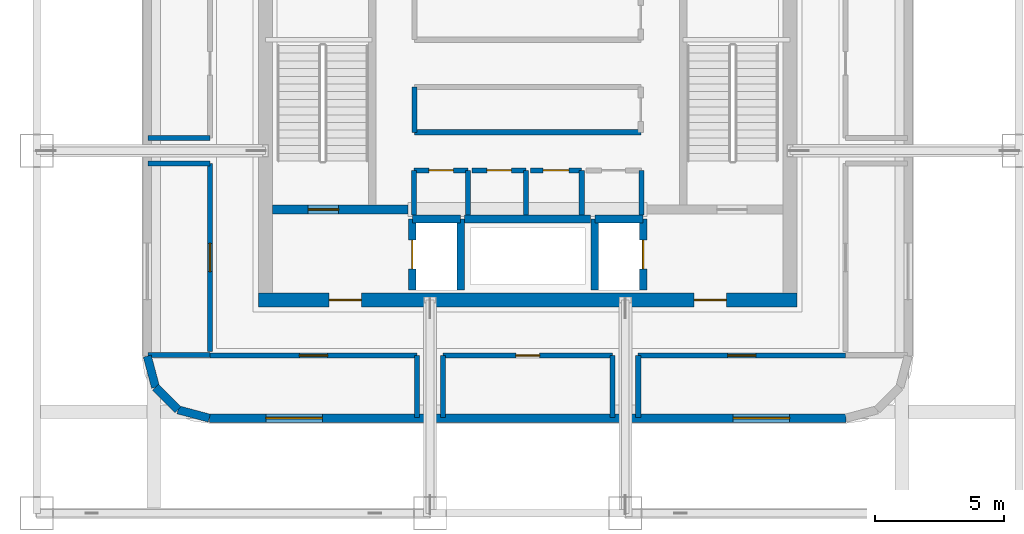
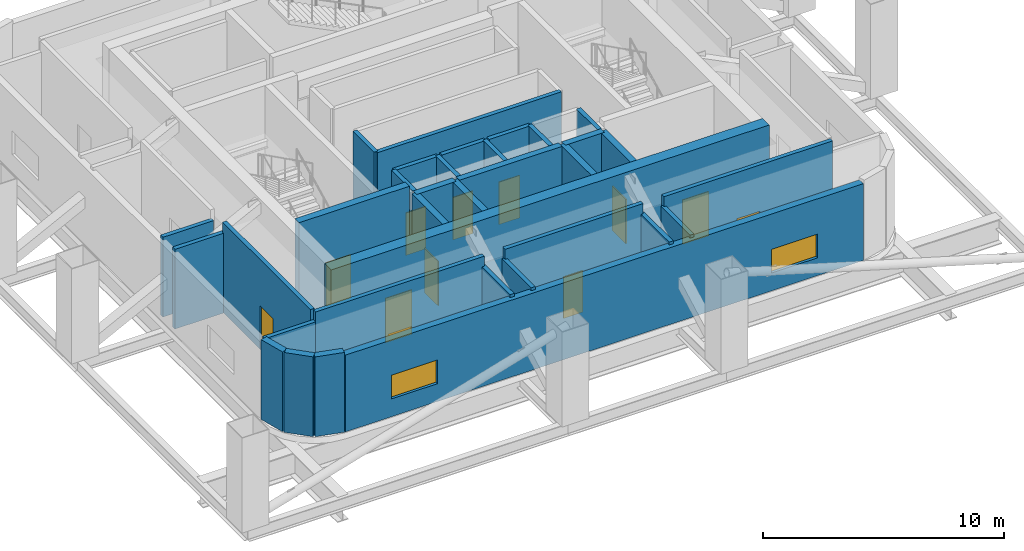
# One storey, part 4 of 8: 34 walls, 12 doors, 2 windows, 14 openings.
"""IFC4 building model written with IfcOpenShell, lengths in metres."""

from ifc_helpers import new_model, si_unit, direction, frame, frame_2d, origin, place, context, subcontext, project, spatial, rectangle, extrude, material, layer, layer_set, type_object, element, fill, save


model = new_model("IFC4")

# Units and contexts
model_context = context("Model", 3, precision=1e-05, world=origin(), true_north=direction((0.0, 1.0)))
body_context = subcontext(model_context, "Body", "Model", "MODEL_VIEW")
ifc_project = project(units=[si_unit("LENGTHUNIT", "METRE"), si_unit("AREAUNIT", "SQUARE_METRE"), si_unit("VOLUMEUNIT", "CUBIC_METRE"), si_unit("PLANEANGLEUNIT", "RADIAN"), si_unit("MASSUNIT", "GRAM", prefix="KILO")], contexts=[model_context])

# Site, building, storey
site_placement = place(None, origin())
site = spatial("IfcSite", under=ifc_project, at=site_placement, CompositionType="ELEMENT")
building_placement = place(site_placement, origin())
building = spatial("IfcBuilding", under=site, at=building_placement, Name="Punatoya Terracotta Tower", CompositionType="ELEMENT")
storey_placement = place(building_placement, frame((0.0, 0.0, 241.800048828125)))
storey = spatial("IfcBuildingStorey", under=building, at=storey_placement, Name="L57", CompositionType="ELEMENT", Elevation=241.800048828125)

# Wall, openings, doors
ifc_material_1 = material(Name="Concrete C50/60", Category="concrete")
ifc_layer_1 = layer(ifc_material_1, 0.550048828125)
ifc_layer_set_1 = layer_set([ifc_layer_1], Name="Concrete C50/60")
wall_type_1 = type_object("IfcWallType", Name="WL-COR-550", PredefinedType="SHEAR", material=ifc_layer_set_1)
wall_1_placement = place(storey_placement, frame((10.47509765625, -9.199951171875, 0.0), z_axis=(0.0, 0.0, 1.0), x_axis=(-1.0, 0.0, 0.0)))
wall_1 = element("IfcWall", 1, at=wall_1_placement, inside=storey, type_object=wall_type_1, Name="L57 Core Shear Wall S", PredefinedType="SHEAR", context=body_context, shape_type="SweptSolid", body=[
    extrude(rectangle(XDim=20.9501953125, YDim=0.550048828125, at=frame_2d((10.47509765625, 0.0))), origin(), (0.0, 0.0, 1.0), 4.800048828125),
])
opening_1_placement = place(wall_1_placement, frame((2.75, 0.0, 0.0)))
opening_1 = element("IfcOpeningElement", 2, at=opening_1_placement, cuts=wall_1, Name="Opening FD-L1", PredefinedType="OPENING", context=body_context, shape_type="SweptSolid", body=[
    extrude(rectangle(XDim=1.25, YDim=2.25, at=frame_2d((0.625, 1.125))), frame((0.0, 0.284912109375, 0.0), z_axis=(0.0, -1.0, 0.0), x_axis=(1.0, 0.0, 0.0)), (0.0, 0.0, 1.0), 0.570068359375),
])
opening_2_placement = place(wall_1_placement, frame((16.949951171875, 0.0, 0.0)))
opening_2 = element("IfcOpeningElement", 3, at=opening_2_placement, cuts=wall_1, Name="Opening FD-L1", PredefinedType="OPENING", context=body_context, shape_type="SweptSolid", body=[
    extrude(rectangle(XDim=1.25, YDim=2.25, at=frame_2d((0.625, 1.125))), frame((0.0, 0.284912109375, 0.0), z_axis=(0.0, -1.0, 0.0), x_axis=(1.0, 0.0, 0.0)), (0.0, 0.0, 1.0), 0.570068359375),
])
ifc_material_2 = material(Name="Galvanised Steel Smokeproof Fire Door", Category="steel")
door_type_1 = type_object("IfcDoorType", Name="DR-FFL-1250", OperationType="NOTDEFINED", PredefinedType="DOOR", material=ifc_material_2)
door_1_placement = place(opening_1_placement, origin())
door_1 = element("IfcDoor", 4, at=door_1_placement, inside=storey, type_object=door_type_1, Name="L57 East Firefighting Lobby Corridor Fire Door", OperationType="SINGLE_SWING_LEFT", OverallHeight=2.25, OverallWidth=1.25, PredefinedType="DOOR", context=body_context, shape_type="SweptSolid", body=[
    extrude(rectangle(XDim=1.25, YDim=2.25, at=frame_2d((0.625, 1.125))), frame((0.0, 0.02490234375, 0.0), z_axis=(0.0, -1.0, 0.0), x_axis=(1.0, 0.0, 0.0)), (0.0, 0.0, 1.0), 0.050048828125),
])
fill(opening_1, door_1)
door_2_placement = place(opening_2_placement, origin())
door_2 = element("IfcDoor", 5, at=door_2_placement, inside=storey, type_object=door_type_1, Name="L57 West Firefighting Lobby Corridor Fire Door", OperationType="SINGLE_SWING_RIGHT", OverallHeight=2.25, OverallWidth=1.25, PredefinedType="DOOR", context=body_context, shape_type="SweptSolid", body=[
    extrude(rectangle(XDim=1.25, YDim=2.25, at=frame_2d((0.625, 1.125))), frame((0.0, 0.02490234375, 0.0), z_axis=(0.0, -1.0, 0.0), x_axis=(1.0, 0.0, 0.0)), (0.0, 0.0, 1.0), 0.050048828125),
])
fill(opening_2, door_2)

# Wall, openings, windows
ifc_material_3 = material(Name="Precast concrete C40/50", Category="concrete")
ifc_layer_2 = layer(ifc_material_3, 0.320068359375)
ifc_layer_set_2 = layer_set([ifc_layer_2], Name="Precast concrete C40/50")
wall_type_2 = type_object("IfcWallType", Name="WL-EXT-320", PredefinedType="SOLIDWALL", material=ifc_layer_set_2)
wall_2_placement = place(storey_placement, frame((-12.386962890625, -13.800048828125, 0.0), z_axis=(0.0, 0.0, 1.0), x_axis=(1.0, 0.0, 0.0)))
wall_2 = element("IfcWall", 6, at=wall_2_placement, inside=storey, type_object=wall_type_2, Name="L57 Terracotta Louvre Plant Enclosure S", PredefinedType="SOLIDWALL", context=body_context, shape_type="SweptSolid", body=[
    extrude(rectangle(XDim=24.77392578125, YDim=0.320068359375, at=frame_2d((12.386962890625, 0.0))), origin(), (0.0, 0.0, 1.0), 3.884033203125),
])
opening_3_placement = place(wall_2_placement, frame((2.199951171875, 0.0, 0.89990234375)))
opening_3 = element("IfcOpeningElement", 7, at=opening_3_placement, cuts=wall_2, Name="Opening WN-09", PredefinedType="OPENING", context=body_context, shape_type="SweptSolid", body=[
    extrude(rectangle(XDim=2.199951171875, YDim=1.199951171875, at=frame_2d((1.10009765625, 0.60009765625))), frame((0.0, 0.169921875, 0.0), z_axis=(0.0, -1.0, 0.0), x_axis=(1.0, 0.0, 0.0)), (0.0, 0.0, 1.0), 0.340087890625),
])
opening_4_placement = place(wall_2_placement, frame((20.373779296875, 0.0, 0.89990234375)))
opening_4 = element("IfcOpeningElement", 8, at=opening_4_placement, cuts=wall_2, Name="Opening WN-09", PredefinedType="OPENING", context=body_context, shape_type="SweptSolid", body=[
    extrude(rectangle(XDim=2.199951171875, YDim=1.199951171875, at=frame_2d((1.10009765625, 0.60009765625))), frame((0.0, 0.169921875, 0.0), z_axis=(0.0, -1.0, 0.0), x_axis=(1.0, 0.0, 0.0)), (0.0, 0.0, 1.0), 0.340087890625),
])
ifc_material_4 = material(Name="Aluminium 6063-T6 + Double Low-E Glass", Category="aluminium")
window_type = type_object("IfcWindowType", Name="WIN-CLR-2200", PartitioningType="SINGLE_PANEL", PredefinedType="WINDOW", material=ifc_material_4)
window_1_placement = place(opening_3_placement, origin())
window_1 = element("IfcWindow", 9, at=window_1_placement, inside=storey, type_object=window_type, Name="L57 Refuge Daylight Window S1", OverallHeight=1.199951171875, OverallWidth=2.199951171875, PartitioningType="SINGLE_PANEL", PredefinedType="WINDOW", context=body_context, shape_type="SweptSolid", body=[
    extrude(rectangle(XDim=2.199951171875, YDim=1.199951171875, at=frame_2d((1.10009765625, 0.60009765625))), frame((0.0, 0.030029296875, 0.0), z_axis=(0.0, -1.0, 0.0), x_axis=(1.0, 0.0, 0.0)), (0.0, 0.0, 1.0), 0.06005859375),
])
fill(opening_3, window_1)
window_2_placement = place(opening_4_placement, origin())
window_2 = element("IfcWindow", 10, at=window_2_placement, inside=storey, type_object=window_type, Name="L57 Refuge Daylight Window S2", OverallHeight=1.199951171875, OverallWidth=2.199951171875, PartitioningType="SINGLE_PANEL", PredefinedType="WINDOW", context=body_context, shape_type="SweptSolid", body=[
    extrude(rectangle(XDim=2.199951171875, YDim=1.199951171875, at=frame_2d((1.10009765625, 0.60009765625))), frame((0.0, 0.030029296875, 0.0), z_axis=(0.0, -1.0, 0.0), x_axis=(1.0, 0.0, 0.0)), (0.0, 0.0, 1.0), 0.06005859375),
])
fill(opening_4, window_2)

# Walls
wall_3_placement = place(storey_placement, frame((-14.800048828125, -11.386962890625, 0.0), z_axis=(0.0, 0.0, 1.0), x_axis=(0.25748094776, -0.966283375382, 0.0)))
element("IfcWall", 11, at=wall_3_placement, inside=storey, type_object=wall_type_2, Name="L57 Rounded Terracotta Corner Pier 14", PredefinedType="SOLIDWALL", context=body_context, shape_type="SweptSolid", body=[
    extrude(rectangle(XDim=1.25439453125, YDim=0.320068359375, at=frame_2d((0.627197265625, 0.0))), origin(), (0.0, 0.0, 1.0), 4.033935546875),
])
wall_4_placement = place(storey_placement, frame((-14.47705078125, -12.59912109375, 0.0), z_axis=(0.0, 0.0, 1.0), x_axis=(0.707106781187, -0.707106781187, 0.0)))
element("IfcWall", 12, at=wall_4_placement, inside=storey, type_object=wall_type_2, Name="L57 Rounded Terracotta Corner Pier 15", PredefinedType="SOLIDWALL", context=body_context, shape_type="SweptSolid", body=[
    extrude(rectangle(XDim=1.24169921875, YDim=0.320068359375, at=frame_2d((0.620849609375, 0.0))), origin(), (0.0, 0.0, 1.0), 4.033935546875),
])
wall_5_placement = place(storey_placement, frame((-13.59912109375, -13.47705078125, 0.0), z_axis=(0.0, 0.0, 1.0), x_axis=(0.966283375382, -0.25748094776, 0.0)))
element("IfcWall", 13, at=wall_5_placement, inside=storey, type_object=wall_type_2, Name="L57 Rounded Terracotta Corner Pier 16", PredefinedType="SOLIDWALL", context=body_context, shape_type="SweptSolid", body=[
    extrude(rectangle(XDim=1.25439453125, YDim=0.320068359375, at=frame_2d((0.627197265625, 0.0))), origin(), (0.0, 0.0, 1.0), 4.033935546875),
])
ifc_material_5 = material(Name="Concrete C40/50", Category="concrete")
ifc_layer_3 = layer(ifc_material_5, 0.199951171875)
ifc_layer_set_3 = layer_set([ifc_layer_3], Name="Concrete C40/50")
wall_type_3 = type_object("IfcWallType", Name="WL-INT-200", PredefinedType="SOLIDWALL", material=ifc_layer_set_3)
wall_6_placement = place(storey_placement, frame((-2.320068359375, -5.89990234375, 0.0), z_axis=(0.0, 0.0, 1.0), x_axis=(0.0, 1.0, 0.0)))
element("IfcWall", 14, at=wall_6_placement, inside=storey, type_object=wall_type_3, Name="L57 Staff Male Washroom Partition 01", PredefinedType="SOLIDWALL", context=body_context, shape_type="SweptSolid", body=[
    extrude(rectangle(XDim=1.739990234375, YDim=0.199951171875, at=frame_2d((0.8701171875, 0.0))), origin(), (0.0, 0.0, 1.0), 4.5400390625),
])

# Wall, opening, door
wall_7_placement = place(storey_placement, frame((-2.320068359375, -4.159912109375, 0.0), z_axis=(0.0, 0.0, 1.0), x_axis=(-1.0, 0.0, 0.0)))
wall_7 = element("IfcWall", 15, at=wall_7_placement, inside=storey, type_object=wall_type_3, Name="L57 Staff Male Washroom Partition 02", PredefinedType="SOLIDWALL", context=body_context, shape_type="SweptSolid", body=[
    extrude(rectangle(XDim=2.099853515625, YDim=0.199951171875, at=frame_2d((1.0498046875, 0.0))), origin(), (0.0, 0.0, 1.0), 4.5400390625),
])
opening_5_placement = place(wall_7_placement, frame((0.574951171875, 0.0, 0.0)))
opening_5 = element("IfcOpeningElement", 16, at=opening_5_placement, cuts=wall_7, Name="Opening WD-01", PredefinedType="OPENING", context=body_context, shape_type="SweptSolid", body=[
    extrude(rectangle(XDim=0.949951171875, YDim=2.14990234375, at=frame_2d((0.47509765625, 1.074951171875))), frame((0.0, 0.10986328125, 0.0), z_axis=(0.0, -1.0, 0.0), x_axis=(1.0, 0.0, 0.0)), (0.0, 0.0, 1.0), 0.219970703125),
])
ifc_material_6 = material(Name="Moisture-Resistant Laminate Timber Leaf", Category="wood")
door_type_2 = type_object("IfcDoorType", Name="DR-WC-950", OperationType="NOTDEFINED", PredefinedType="DOOR", material=ifc_material_6)
door_3_placement = place(opening_5_placement, origin())
door_3 = element("IfcDoor", 17, at=door_3_placement, inside=storey, type_object=door_type_2, Name="L57 Staff Male Washroom Door", OperationType="SINGLE_SWING_RIGHT", OverallHeight=2.14990234375, OverallWidth=0.949951171875, PredefinedType="DOOR", context=body_context, shape_type="SweptSolid", body=[
    extrude(rectangle(XDim=0.949951171875, YDim=2.14990234375, at=frame_2d((0.47509765625, 1.074951171875))), frame((0.0, 0.02490234375, 0.0), z_axis=(0.0, -1.0, 0.0), x_axis=(1.0, 0.0, 0.0)), (0.0, 0.0, 1.0), 0.050048828125),
])
fill(opening_5, door_3)

# Walls
for number, where, z_axis, x_axis, name in (
    (18, (-4.419921875, -4.159912109375, 0.0), (0.0, 0.0, 1.0), (0.0, -1.0, 0.0), "L57 Staff Male Washroom Partition 03"),
    (19, (-0.06005859375, -5.89990234375, 0.0), (0.0, 0.0, 1.0), (0.0, 1.0, 0.0), "L57 Staff Female Washroom Partition 04"),
):
    element("IfcWall", number, at=place(storey_placement, frame(where, z_axis=z_axis, x_axis=x_axis)), inside=storey, type_object=wall_type_3, Name=name, PredefinedType="SOLIDWALL", context=body_context, shape_type="SweptSolid", body=[
        extrude(rectangle(XDim=1.739990234375, YDim=0.199951171875, at=frame_2d((0.8701171875, 0.0))), origin(), (0.0, 0.0, 1.0), 4.5400390625),
    ])

# Wall, opening, door
wall_8_placement = place(storey_placement, frame((-0.06005859375, -4.159912109375, 0.0), z_axis=(0.0, 0.0, 1.0), x_axis=(-1.0, 0.0, 0.0)))
wall_8 = element("IfcWall", 20, at=wall_8_placement, inside=storey, type_object=wall_type_3, Name="L57 Staff Female Washroom Partition 05", PredefinedType="SOLIDWALL", context=body_context, shape_type="SweptSolid", body=[
    extrude(rectangle(XDim=2.099853515625, YDim=0.199951171875, at=frame_2d((1.0498046875, 0.0))), origin(), (0.0, 0.0, 1.0), 4.5400390625),
])
opening_6_placement = place(wall_8_placement, frame((0.574951171875, 0.0, 0.0)))
opening_6 = element("IfcOpeningElement", 21, at=opening_6_placement, cuts=wall_8, Name="Opening WD-01", PredefinedType="OPENING", context=body_context, shape_type="SweptSolid", body=[
    extrude(rectangle(XDim=0.949951171875, YDim=2.14990234375, at=frame_2d((0.47509765625, 1.074951171875))), frame((0.0, 0.10986328125, 0.0), z_axis=(0.0, -1.0, 0.0), x_axis=(1.0, 0.0, 0.0)), (0.0, 0.0, 1.0), 0.219970703125),
])
door_4_placement = place(opening_6_placement, origin())
door_4 = element("IfcDoor", 22, at=door_4_placement, inside=storey, type_object=door_type_2, Name="L57 Staff Female Washroom Door", OperationType="SINGLE_SWING_LEFT", OverallHeight=2.14990234375, OverallWidth=0.949951171875, PredefinedType="DOOR", context=body_context, shape_type="SweptSolid", body=[
    extrude(rectangle(XDim=0.949951171875, YDim=2.14990234375, at=frame_2d((0.47509765625, 1.074951171875))), frame((0.0, 0.02490234375, 0.0), z_axis=(0.0, -1.0, 0.0), x_axis=(1.0, 0.0, 0.0)), (0.0, 0.0, 1.0), 0.050048828125),
])
fill(opening_6, door_4)

# Wall
wall_9_placement = place(storey_placement, frame((2.10009765625, -5.89990234375, 0.0), z_axis=(0.0, 0.0, 1.0), x_axis=(0.0, 1.0, 0.0)))
element("IfcWall", 23, at=wall_9_placement, inside=storey, type_object=wall_type_3, Name="L57 Accessible Universal Washroom Partition 06", PredefinedType="SOLIDWALL", context=body_context, shape_type="SweptSolid", body=[
    extrude(rectangle(XDim=1.739990234375, YDim=0.199951171875, at=frame_2d((0.8701171875, 0.0))), origin(), (0.0, 0.0, 1.0), 4.5400390625),
])

# Wall, opening, door
wall_10_placement = place(storey_placement, frame((2.10009765625, -4.159912109375, 0.0), z_axis=(0.0, 0.0, 1.0), x_axis=(-1.0, 0.0, 0.0)))
wall_10 = element("IfcWall", 24, at=wall_10_placement, inside=storey, type_object=wall_type_3, Name="L57 Accessible Universal Washroom Partition 07", PredefinedType="SOLIDWALL", context=body_context, shape_type="SweptSolid", body=[
    extrude(rectangle(XDim=2.0, YDim=0.199951171875, at=frame_2d((1.0, 0.0))), origin(), (0.0, 0.0, 1.0), 4.5400390625),
])
opening_7_placement = place(wall_10_placement, frame((0.5, 0.0, 0.0)))
opening_7 = element("IfcOpeningElement", 25, at=opening_7_placement, cuts=wall_10, Name="Opening AWD-1", PredefinedType="OPENING", context=body_context, shape_type="SweptSolid", body=[
    extrude(rectangle(XDim=1.0, YDim=2.14990234375, at=frame_2d((0.5, 1.074951171875))), frame((0.0, 0.10986328125, 0.0), z_axis=(0.0, -1.0, 0.0), x_axis=(1.0, 0.0, 0.0)), (0.0, 0.0, 1.0), 0.219970703125),
])
ifc_material_7 = material(Name="Bengal Teak Accessible WC Leaf")
door_type_3 = type_object("IfcDoorType", Name="DR-ACC-1000", OperationType="NOTDEFINED", PredefinedType="DOOR", material=ifc_material_7)
door_5_placement = place(opening_7_placement, origin())
door_5 = element("IfcDoor", 26, at=door_5_placement, inside=storey, type_object=door_type_3, Name="L57 Accessible Universal Washroom Door", OperationType="SINGLE_SWING_RIGHT", OverallHeight=2.14990234375, OverallWidth=1.0, PredefinedType="DOOR", context=body_context, shape_type="SweptSolid", body=[
    extrude(rectangle(XDim=1.0, YDim=2.14990234375, at=frame_2d((0.5, 1.074951171875))), frame((0.0, 0.02490234375, 0.0), z_axis=(0.0, -1.0, 0.0), x_axis=(1.0, 0.0, 0.0)), (0.0, 0.0, 1.0), 0.050048828125),
])
fill(opening_7, door_5)

# Walls
wall_11_placement = place(storey_placement, frame((4.419921875, -5.89990234375, 0.0), z_axis=(0.0, 0.0, 1.0), x_axis=(0.0, 1.0, 0.0)))
element("IfcWall", 27, at=wall_11_placement, inside=storey, type_object=wall_type_3, Name="L57 Core Electrical Switchgear Room Partition 08", PredefinedType="SOLIDWALL", context=body_context, shape_type="SweptSolid", body=[
    extrude(rectangle(XDim=1.739990234375, YDim=0.199951171875, at=frame_2d((0.8701171875, 0.0))), origin(), (0.0, 0.0, 1.0), 4.5400390625),
])
wall_12_placement = place(storey_placement, frame((-4.39990234375, -0.919921875, 0.0), z_axis=(0.0, 0.0, 1.0), x_axis=(0.0, -1.0, 0.0)))
element("IfcWall", 28, at=wall_12_placement, inside=storey, type_object=wall_type_3, Name="L57 Zone Mechanical Riser Plant Partition 12", PredefinedType="SOLIDWALL", context=body_context, shape_type="SweptSolid", body=[
    extrude(rectangle(XDim=1.760009765625, YDim=0.199951171875, at=frame_2d((0.8798828125, 0.0))), origin(), (0.0, 0.0, 1.0), 4.5400390625),
])
wall_13_placement = place(storey_placement, frame((-4.39990234375, -2.679931640625, 0.0), z_axis=(0.0, 0.0, 1.0), x_axis=(1.0, 0.0, 0.0)))
element("IfcWall", 29, at=wall_13_placement, inside=storey, type_object=wall_type_3, Name="L57 Zone Mechanical Riser Plant Partition 13", PredefinedType="SOLIDWALL", context=body_context, shape_type="SweptSolid", body=[
    extrude(rectangle(XDim=8.7998046875, YDim=0.199951171875, at=frame_2d((4.39990234375, 0.0))), origin(), (0.0, 0.0, 1.0), 4.5400390625),
])
wall_14_placement = place(storey_placement, frame((-14.780029296875, -11.35009765625, 0.0), z_axis=(0.0, 0.0, 1.0), x_axis=(1.0, 0.0, 0.0)))
element("IfcWall", 30, at=wall_14_placement, inside=storey, type_object=wall_type_3, Name="L57 Designated Pressurized Refuge Area South (West Bay) Partition 21", PredefinedType="SOLIDWALL", context=body_context, shape_type="SweptSolid", body=[
    extrude(rectangle(XDim=2.419921875, YDim=0.199951171875, at=frame_2d((1.2099609375, 0.0))), origin(), (0.0, 0.0, 1.0), 4.033935546875),
])

# Wall, opening, door
wall_15_placement = place(storey_placement, frame((-12.360107421875, -11.360107421875, 0.0), z_axis=(0.0, 0.0, 1.0), x_axis=(1.0, 0.0, 0.0)))
wall_15 = element("IfcWall", 31, at=wall_15_placement, inside=storey, type_object=wall_type_3, Name="L57 Designated Pressurized Refuge Area South (West Bay) Partition 22", PredefinedType="SOLIDWALL", context=body_context, shape_type="SweptSolid", body=[
    extrude(rectangle(XDim=8.06005859375, YDim=0.199951171875, at=frame_2d((4.030029296875, 0.0))), origin(), (0.0, 0.0, 1.0), 4.5400390625),
])
opening_8_placement = place(wall_15_placement, frame((3.47998046875, 0.0, 0.0)))
opening_8 = element("IfcOpeningElement", 32, at=opening_8_placement, cuts=wall_15, Name="Opening FD-P1", PredefinedType="OPENING", context=body_context, shape_type="SweptSolid", body=[
    extrude(rectangle(XDim=1.10009765625, YDim=2.199951171875, at=frame_2d((0.550048828125, 1.10009765625))), frame((0.0, 0.10986328125, 0.0), z_axis=(0.0, -1.0, 0.0), x_axis=(1.0, 0.0, 0.0)), (0.0, 0.0, 1.0), 0.219970703125),
])
ifc_material_8 = material(Name="Galvanised Steel Plant Fire Door", Category="steel")
door_type_4 = type_object("IfcDoorType", Name="DR-PLT-1100", OperationType="NOTDEFINED", PredefinedType="DOOR", material=ifc_material_8)
door_6_placement = place(opening_8_placement, origin())
door_6 = element("IfcDoor", 33, at=door_6_placement, inside=storey, type_object=door_type_4, Name="L57 Designated Pressurized Refuge Area South (West Bay) Fire Door", OperationType="SINGLE_SWING_LEFT", OverallHeight=2.199951171875, OverallWidth=1.10009765625, PredefinedType="DOOR", context=body_context, shape_type="SweptSolid", body=[
    extrude(rectangle(XDim=1.10009765625, YDim=2.199951171875, at=frame_2d((0.550048828125, 1.10009765625))), frame((0.0, 0.02490234375, 0.0), z_axis=(0.0, -1.0, 0.0), x_axis=(1.0, 0.0, 0.0)), (0.0, 0.0, 1.0), 0.050048828125),
])
fill(opening_8, door_6)

# Wall
wall_16_placement = place(storey_placement, frame((-4.300048828125, -11.360107421875, 0.0), z_axis=(0.0, 0.0, 1.0), x_axis=(0.0, -1.0, 0.0)))
element("IfcWall", 34, at=wall_16_placement, inside=storey, type_object=wall_type_3, Name="L57 Designated Pressurized Refuge Area South (West Bay) Partition 23", PredefinedType="SOLIDWALL", context=body_context, shape_type="SweptSolid", body=[
    extrude(rectangle(XDim=2.419921875, YDim=0.199951171875, at=frame_2d((1.2099609375, 0.0))), origin(), (0.0, 0.0, 1.0), 4.033935546875),
])

# Wall, opening, door
wall_17_placement = place(storey_placement, frame((-3.300048828125, -11.360107421875, 0.0), z_axis=(0.0, 0.0, 1.0), x_axis=(1.0, 0.0, 0.0)))
wall_17 = element("IfcWall", 35, at=wall_17_placement, inside=storey, type_object=wall_type_3, Name="L57 Designated Pressurized Refuge Area South (Central Bay) Partition 24", PredefinedType="SOLIDWALL", context=body_context, shape_type="SweptSolid", body=[
    extrude(rectangle(XDim=6.60009765625, YDim=0.199951171875, at=frame_2d((3.300048828125, 0.0))), origin(), (0.0, 0.0, 1.0), 4.5400390625),
])
opening_9_placement = place(wall_17_placement, frame((2.840087890625, 0.0, 0.0)))
opening_9 = element("IfcOpeningElement", 36, at=opening_9_placement, cuts=wall_17, Name="Opening FD-R1", PredefinedType="OPENING", context=body_context, shape_type="SweptSolid", body=[
    extrude(rectangle(XDim=0.919921875, YDim=2.10009765625, at=frame_2d((0.4599609375, 1.050048828125))), frame((0.0, 0.10986328125, 0.0), z_axis=(0.0, -1.0, 0.0), x_axis=(1.0, 0.0, 0.0)), (0.0, 0.0, 1.0), 0.219970703125),
])
ifc_material_9 = material(Name="Galvanised Steel Riser Fire Access Door", Category="steel")
door_type_5 = type_object("IfcDoorType", Name="DR-RSR-920", OperationType="NOTDEFINED", PredefinedType="DOOR", material=ifc_material_9)
door_7_placement = place(opening_9_placement, origin())
door_7 = element("IfcDoor", 37, at=door_7_placement, inside=storey, type_object=door_type_5, Name="L57 Designated Pressurized Refuge Area South (Central Bay) Fire Door", OperationType="SINGLE_SWING_RIGHT", OverallHeight=2.10009765625, OverallWidth=0.919921875, PredefinedType="DOOR", context=body_context, shape_type="SweptSolid", body=[
    extrude(rectangle(XDim=0.919921875, YDim=2.10009765625, at=frame_2d((0.4599609375, 1.050048828125))), frame((0.0, 0.02490234375, 0.0), z_axis=(0.0, -1.0, 0.0), x_axis=(1.0, 0.0, 0.0)), (0.0, 0.0, 1.0), 0.050048828125),
])
fill(opening_9, door_7)

# Walls
for number, where, z_axis, x_axis, name in (
    (38, (3.300048828125, -11.360107421875, 0.0), (0.0, 0.0, 1.0), (0.0, -1.0, 0.0), "L57 Designated Pressurized Refuge Area South (Central Bay) Partition 25"),
    (39, (-3.300048828125, -13.780029296875, 0.0), (0.0, 0.0, 1.0), (0.0, 1.0, 0.0), "L57 Designated Pressurized Refuge Area South (Central Bay) Partition 26"),
    (40, (4.300048828125, -13.780029296875, 0.0), (0.0, 0.0, 1.0), (0.0, 1.0, 0.0), "L57 Designated Pressurized Refuge Area South (East Bay) Partition 27"),
):
    element("IfcWall", number, at=place(storey_placement, frame(where, z_axis=z_axis, x_axis=x_axis)), inside=storey, type_object=wall_type_3, Name=name, PredefinedType="SOLIDWALL", context=body_context, shape_type="SweptSolid", body=[
        extrude(rectangle(XDim=2.419921875, YDim=0.199951171875, at=frame_2d((1.2099609375, 0.0))), origin(), (0.0, 0.0, 1.0), 4.033935546875),
    ])

# Wall, opening, door
wall_18_placement = place(storey_placement, frame((4.300048828125, -11.360107421875, 0.0), z_axis=(0.0, 0.0, 1.0), x_axis=(1.0, 0.0, 0.0)))
wall_18 = element("IfcWall", 41, at=wall_18_placement, inside=storey, type_object=wall_type_3, Name="L57 Designated Pressurized Refuge Area South (East Bay) Partition 28", PredefinedType="SOLIDWALL", context=body_context, shape_type="SweptSolid", body=[
    extrude(rectangle(XDim=8.06005859375, YDim=0.199951171875, at=frame_2d((4.030029296875, 0.0))), origin(), (0.0, 0.0, 1.0), 4.5400390625),
])
opening_10_placement = place(wall_18_placement, frame((3.47998046875, 0.0, 0.0)))
opening_10 = element("IfcOpeningElement", 42, at=opening_10_placement, cuts=wall_18, Name="Opening FD-P1", PredefinedType="OPENING", context=body_context, shape_type="SweptSolid", body=[
    extrude(rectangle(XDim=1.10009765625, YDim=2.199951171875, at=frame_2d((0.550048828125, 1.10009765625))), frame((0.0, 0.10986328125, 0.0), z_axis=(0.0, -1.0, 0.0), x_axis=(1.0, 0.0, 0.0)), (0.0, 0.0, 1.0), 0.219970703125),
])
door_8_placement = place(opening_10_placement, origin())
door_8 = element("IfcDoor", 43, at=door_8_placement, inside=storey, type_object=door_type_4, Name="L57 Designated Pressurized Refuge Area South (East Bay) Fire Door", OperationType="SINGLE_SWING_LEFT", OverallHeight=2.199951171875, OverallWidth=1.10009765625, PredefinedType="DOOR", context=body_context, shape_type="SweptSolid", body=[
    extrude(rectangle(XDim=1.10009765625, YDim=2.199951171875, at=frame_2d((0.550048828125, 1.10009765625))), frame((0.0, 0.02490234375, 0.0), z_axis=(0.0, -1.0, 0.0), x_axis=(1.0, 0.0, 0.0)), (0.0, 0.0, 1.0), 0.050048828125),
])
fill(opening_10, door_8)

# Wall
wall_19_placement = place(storey_placement, frame((-14.780029296875, -3.89990234375, 0.0), z_axis=(0.0, 0.0, 1.0), x_axis=(1.0, 0.0, 0.0)))
element("IfcWall", 44, at=wall_19_placement, inside=storey, type_object=wall_type_3, Name="L57 West Outrigger Truss & Smoke-Extract Plant Room (South Bay) Partition 30", PredefinedType="SOLIDWALL", context=body_context, shape_type="SweptSolid", body=[
    extrude(rectangle(XDim=2.419921875, YDim=0.199951171875, at=frame_2d((1.2099609375, 0.0))), origin(), (0.0, 0.0, 1.0), 4.033935546875),
])

# Wall, opening, door
wall_20_placement = place(storey_placement, frame((-12.360107421875, -3.89990234375, 0.0), z_axis=(0.0, 0.0, 1.0), x_axis=(0.0, -1.0, 0.0)))
wall_20 = element("IfcWall", 45, at=wall_20_placement, inside=storey, type_object=wall_type_3, Name="L57 West Outrigger Truss & Smoke-Extract Plant Room (South Bay) Partition 31", PredefinedType="SOLIDWALL", context=body_context, shape_type="SweptSolid", body=[
    extrude(rectangle(XDim=7.300048828125, YDim=0.199951171875, at=frame_2d((3.64990234375, 0.0))), origin(), (0.0, 0.0, 1.0), 4.5400390625),
])
opening_11_placement = place(wall_20_placement, frame((3.10009765625, 0.0, 0.0)))
opening_11 = element("IfcOpeningElement", 46, at=opening_11_placement, cuts=wall_20, Name="Opening FD-P1", PredefinedType="OPENING", context=body_context, shape_type="SweptSolid", body=[
    extrude(rectangle(XDim=1.10009765625, YDim=2.199951171875, at=frame_2d((0.550048828125, 1.10009765625))), frame((0.0, 0.10986328125, 0.0), z_axis=(0.0, -1.0, 0.0), x_axis=(1.0, 0.0, 0.0)), (0.0, 0.0, 1.0), 0.219970703125),
])
door_9_placement = place(opening_11_placement, origin())
door_9 = element("IfcDoor", 47, at=door_9_placement, inside=storey, type_object=door_type_4, Name="L57 West Outrigger Truss & Smoke-Extract Plant Room (South Bay) Fire Door", OperationType="SINGLE_SWING_RIGHT", OverallHeight=2.199951171875, OverallWidth=1.10009765625, PredefinedType="DOOR", context=body_context, shape_type="SweptSolid", body=[
    extrude(rectangle(XDim=1.10009765625, YDim=2.199951171875, at=frame_2d((0.550048828125, 1.10009765625))), frame((0.0, 0.02490234375, 0.0), z_axis=(0.0, -1.0, 0.0), x_axis=(1.0, 0.0, 0.0)), (0.0, 0.0, 1.0), 0.050048828125),
])
fill(opening_11, door_9)

# Wall
wall_21_placement = place(storey_placement, frame((-12.360107421875, -2.89990234375, 0.0), z_axis=(0.0, 0.0, 1.0), x_axis=(-1.0, 0.0, 0.0)))
element("IfcWall", 48, at=wall_21_placement, inside=storey, type_object=wall_type_3, Name="L57 West Outrigger Truss & Smoke-Extract Plant Room (Central Bay) Partition 33", PredefinedType="SOLIDWALL", context=body_context, shape_type="SweptSolid", body=[
    extrude(rectangle(XDim=2.419921875, YDim=0.199951171875, at=frame_2d((1.2099609375, 0.0))), origin(), (0.0, 0.0, 1.0), 4.033935546875),
])

# Wall, opening, door
ifc_layer_4 = layer(ifc_material_5, 0.300048828125)
ifc_layer_set_4 = layer_set([ifc_layer_4], Name="Concrete C40/50")
wall_type_4 = type_object("IfcWallType", Name="WL-SHF-300", PredefinedType="SOLIDWALL", material=ifc_layer_set_4)
wall_22_placement = place(storey_placement, frame((-4.489990234375, -8.820068359375, 0.0), z_axis=(0.0, 0.0, 1.0), x_axis=(0.0, 1.0, 0.0)))
wall_22 = element("IfcWall", 49, at=wall_22_placement, inside=storey, type_object=wall_type_4, Name="L57 FFL-1 Front Hoistway Wall", PredefinedType="SOLIDWALL", context=body_context, shape_type="SweptSolid", body=[
    extrude(rectangle(XDim=2.77001953125, YDim=0.300048828125, at=frame_2d((1.385009765625, 0.0))), origin(), (0.0, 0.0, 1.0), 4.5400390625),
])
opening_12_placement = place(wall_22_placement, frame((0.824951171875, 0.0, 0.0)))
opening_12 = element("IfcOpeningElement", 50, at=opening_12_placement, cuts=wall_22, Name="Opening LD-02", PredefinedType="OPENING", context=body_context, shape_type="SweptSolid", body=[
    extrude(rectangle(XDim=1.1201171875, YDim=2.25, at=frame_2d((0.56005859375, 1.125))), frame((0.0, 0.159912109375, 0.0), z_axis=(0.0, -1.0, 0.0), x_axis=(1.0, 0.0, 0.0)), (0.0, 0.0, 1.0), 0.320068359375),
])
ifc_material_10 = material(Name="Stainless Steel Lift Landing Door", Category="steel")
door_type_6 = type_object("IfcDoorType", Name="DR-LND-1120", OperationType="NOTDEFINED", PredefinedType="DOOR", material=ifc_material_10)
door_10_placement = place(opening_12_placement, origin())
door_10 = element("IfcDoor", 51, at=door_10_placement, inside=storey, type_object=door_type_6, Name="L57 Firefighting Lift FFL-1 Sliding Landing Door", OperationType="SLIDING_TO_LEFT", OverallHeight=2.25, OverallWidth=1.1201171875, PredefinedType="DOOR", context=body_context, shape_type="SweptSolid", body=[
    extrude(rectangle(XDim=1.1201171875, YDim=2.25, at=frame_2d((0.56005859375, 1.125))), frame((0.0, 0.02490234375, 0.0), z_axis=(0.0, -1.0, 0.0), x_axis=(1.0, 0.0, 0.0)), (0.0, 0.0, 1.0), 0.050048828125),
])
fill(opening_12, door_10)

# Walls
wall_23_placement = place(storey_placement, frame((-2.610107421875, -8.820068359375, 0.0), z_axis=(0.0, 0.0, 1.0), x_axis=(0.0, 1.0, 0.0)))
element("IfcWall", 52, at=wall_23_placement, inside=storey, type_object=wall_type_4, Name="L57 FFL-1 Rear Hoistway Wall", PredefinedType="SOLIDWALL", context=body_context, shape_type="SweptSolid", body=[
    extrude(rectangle(XDim=2.77001953125, YDim=0.300048828125, at=frame_2d((1.385009765625, 0.0))), origin(), (0.0, 0.0, 1.0), 4.5400390625),
])
wall_24_placement = place(storey_placement, frame((-4.489990234375, -6.050048828125, 0.0), z_axis=(0.0, 0.0, 1.0), x_axis=(1.0, 0.0, 0.0)))
element("IfcWall", 53, at=wall_24_placement, inside=storey, type_object=wall_type_4, Name="L57 FFL-1 North Hoistway Wall", PredefinedType="SOLIDWALL", context=body_context, shape_type="SweptSolid", body=[
    extrude(rectangle(XDim=1.8798828125, YDim=0.300048828125, at=frame_2d((0.93994140625, 0.0))), origin(), (0.0, 0.0, 1.0), 4.5400390625),
])

# Wall, opening, door
wall_25_placement = place(storey_placement, frame((4.489990234375, -8.820068359375, 0.0), z_axis=(0.0, 0.0, 1.0), x_axis=(0.0, 1.0, 0.0)))
wall_25 = element("IfcWall", 54, at=wall_25_placement, inside=storey, type_object=wall_type_4, Name="L57 FFL-2 Front Hoistway Wall", PredefinedType="SOLIDWALL", context=body_context, shape_type="SweptSolid", body=[
    extrude(rectangle(XDim=2.77001953125, YDim=0.300048828125, at=frame_2d((1.385009765625, 0.0))), origin(), (0.0, 0.0, 1.0), 4.5400390625),
])
opening_13_placement = place(wall_25_placement, frame((0.824951171875, 0.0, 0.0)))
opening_13 = element("IfcOpeningElement", 55, at=opening_13_placement, cuts=wall_25, Name="Opening LD-02", PredefinedType="OPENING", context=body_context, shape_type="SweptSolid", body=[
    extrude(rectangle(XDim=1.1201171875, YDim=2.25, at=frame_2d((0.56005859375, 1.125))), frame((0.0, 0.159912109375, 0.0), z_axis=(0.0, -1.0, 0.0), x_axis=(1.0, 0.0, 0.0)), (0.0, 0.0, 1.0), 0.320068359375),
])
door_11_placement = place(opening_13_placement, origin())
door_11 = element("IfcDoor", 56, at=door_11_placement, inside=storey, type_object=door_type_6, Name="L57 Firefighting Lift FFL-2 Sliding Landing Door", OperationType="SLIDING_TO_RIGHT", OverallHeight=2.25, OverallWidth=1.1201171875, PredefinedType="DOOR", context=body_context, shape_type="SweptSolid", body=[
    extrude(rectangle(XDim=1.1201171875, YDim=2.25, at=frame_2d((0.56005859375, 1.125))), frame((0.0, 0.02490234375, 0.0), z_axis=(0.0, -1.0, 0.0), x_axis=(1.0, 0.0, 0.0)), (0.0, 0.0, 1.0), 0.050048828125),
])
fill(opening_13, door_11)

# Walls
wall_26_placement = place(storey_placement, frame((2.610107421875, -8.820068359375, 0.0), z_axis=(0.0, 0.0, 1.0), x_axis=(0.0, 1.0, 0.0)))
element("IfcWall", 57, at=wall_26_placement, inside=storey, type_object=wall_type_4, Name="L57 FFL-2 Rear Hoistway Wall", PredefinedType="SOLIDWALL", context=body_context, shape_type="SweptSolid", body=[
    extrude(rectangle(XDim=2.77001953125, YDim=0.300048828125, at=frame_2d((1.385009765625, 0.0))), origin(), (0.0, 0.0, 1.0), 4.5400390625),
])
wall_27_placement = place(storey_placement, frame((2.610107421875, -6.050048828125, 0.0), z_axis=(0.0, 0.0, 1.0), x_axis=(1.0, 0.0, 0.0)))
element("IfcWall", 58, at=wall_27_placement, inside=storey, type_object=wall_type_4, Name="L57 FFL-2 North Hoistway Wall", PredefinedType="SOLIDWALL", context=body_context, shape_type="SweptSolid", body=[
    extrude(rectangle(XDim=1.8798828125, YDim=0.300048828125, at=frame_2d((0.93994140625, 0.0))), origin(), (0.0, 0.0, 1.0), 4.5400390625),
])
wall_28_placement = place(storey_placement, frame((-2.449951171875, -6.050048828125, 0.0), z_axis=(0.0, 0.0, 1.0), x_axis=(1.0, 0.0, 0.0)))
element("IfcWall", 59, at=wall_28_placement, inside=storey, type_object=wall_type_4, Name="L57 Observation Shuttle Rear Hoistway Wall", PredefinedType="SOLIDWALL", context=body_context, shape_type="SweptSolid", body=[
    extrude(rectangle(XDim=4.89990234375, YDim=0.300048828125, at=frame_2d((2.449951171875, 0.0))), origin(), (0.0, 0.0, 1.0), 4.5400390625),
])

# Wall, opening, door
ifc_layer_5 = layer(ifc_material_1, 0.35009765625)
ifc_layer_set_5 = layer_set([ifc_layer_5], Name="Concrete C50/60")
wall_type_5 = type_object("IfcWallType", Name="WL-SHF-350", PredefinedType="SOLIDWALL", material=ifc_layer_set_5)
wall_29_placement = place(storey_placement, frame((-9.925048828125, -5.679931640625, 0.0), z_axis=(0.0, 0.0, 1.0), x_axis=(1.0, 0.0, 0.0)))
wall_29 = element("IfcWall", 60, at=wall_29_placement, inside=storey, type_object=wall_type_5, Name="L57 Core Web Wall CSW-L", PredefinedType="SOLIDWALL", context=body_context, shape_type="SweptSolid", body=[
    extrude(rectangle(XDim=5.275146484375, YDim=0.35009765625, at=frame_2d((2.6376953125, 0.0))), origin(), (0.0, 0.0, 1.0), 4.800048828125),
])
opening_14_placement = place(wall_29_placement, frame((1.385009765625, 0.0, 0.0)))
opening_14 = element("IfcOpeningElement", 61, at=opening_14_placement, cuts=wall_29, Name="Opening SD-01", PredefinedType="OPENING", context=body_context, shape_type="SweptSolid", body=[
    extrude(rectangle(XDim=1.179931640625, YDim=2.199951171875, at=frame_2d((0.58984375, 1.10009765625))), frame((0.0, 0.18505859375, 0.0), z_axis=(0.0, -1.0, 0.0), x_axis=(1.0, 0.0, 0.0)), (0.0, 0.0, 1.0), 0.3701171875),
])
ifc_material_11 = material(Name="Galvanised Steel Pressurized Stair Fire Door", Category="steel")
door_type_7 = type_object("IfcDoorType", Name="DR-STR-1180", OperationType="NOTDEFINED", PredefinedType="DOOR", material=ifc_material_11)
door_12_placement = place(opening_14_placement, origin())
door_12 = element("IfcDoor", 62, at=door_12_placement, inside=storey, type_object=door_type_7, Name="L57 Stair ST-1 Smokeproof Lobby Fire Door", OperationType="SINGLE_SWING_LEFT", OverallHeight=2.199951171875, OverallWidth=1.179931640625, PredefinedType="DOOR", context=body_context, shape_type="SweptSolid", body=[
    extrude(rectangle(XDim=1.179931640625, YDim=2.199951171875, at=frame_2d((0.58984375, 1.10009765625))), frame((0.0, 0.02490234375, 0.0), z_axis=(0.0, -1.0, 0.0), x_axis=(1.0, 0.0, 0.0)), (0.0, 0.0, 1.0), 0.050048828125),
])
fill(opening_14, door_12)

save(model, "model.ifc")
